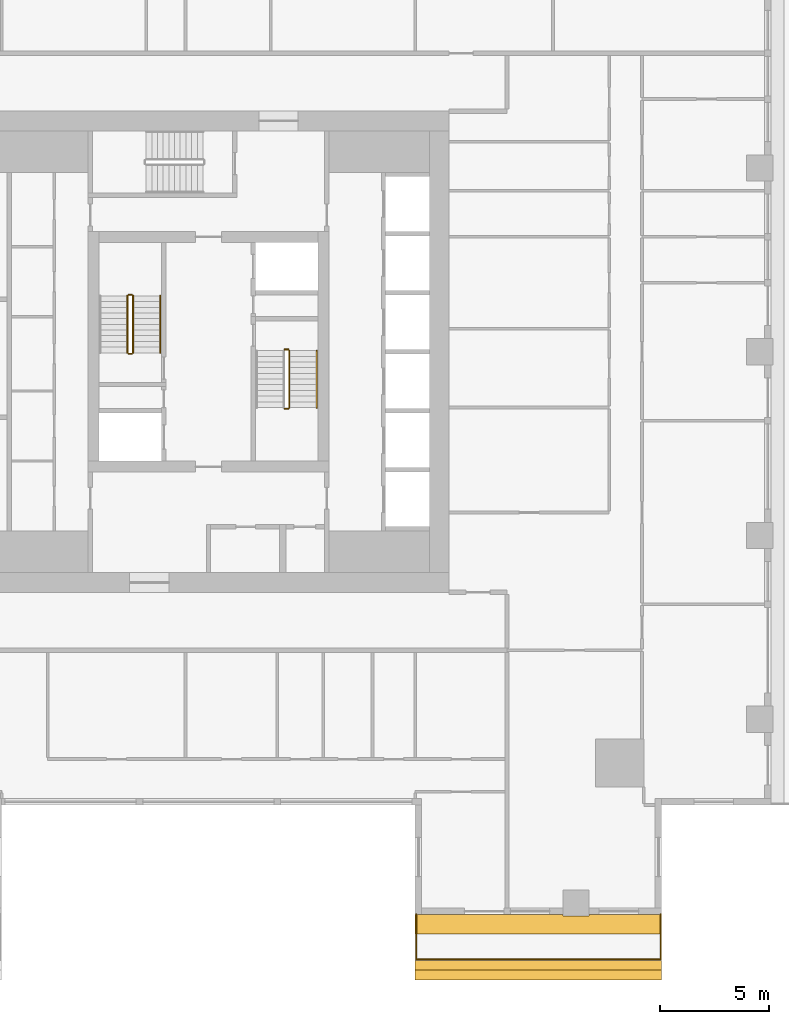
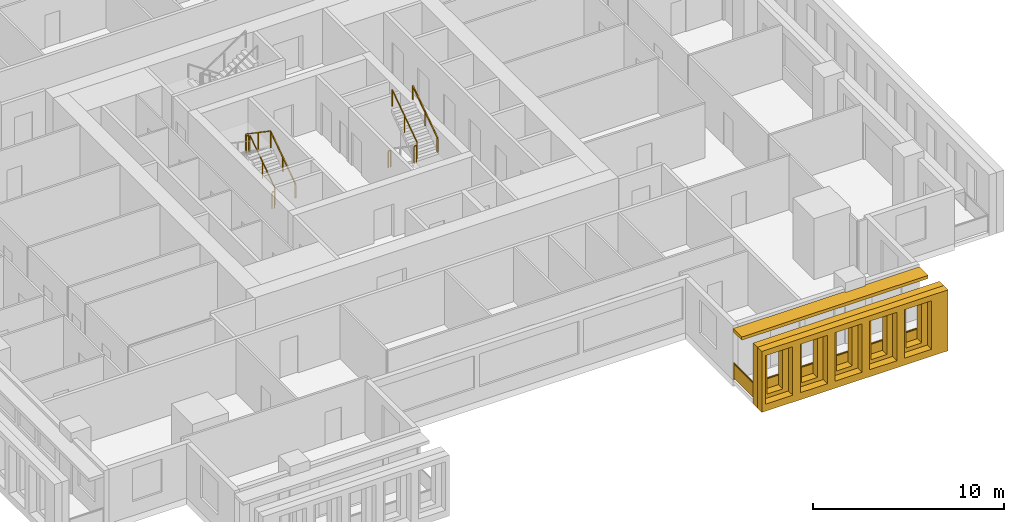
# One storey, part 11 of 14: 10 railings, 3 shading devices.
"""IFC4 building model written with IfcOpenShell, lengths in metres."""

from ifc_helpers import new_model, si_unit, direction, frame, origin, origin_2d, place, context, subcontext, project, spatial, polyline, rectangle, outline, extrude, material, layer, layer_set, type_object, element, save


model = new_model("IFC4")

# Units and contexts
model_context = context("Model", 3, precision=1e-05, world=origin(), true_north=direction((0.0, 1.0)))
body_context = subcontext(model_context, "Body", "Model", "MODEL_VIEW")
ifc_project = project(units=[si_unit("LENGTHUNIT", "METRE"), si_unit("AREAUNIT", "SQUARE_METRE"), si_unit("VOLUMEUNIT", "CUBIC_METRE"), si_unit("PLANEANGLEUNIT", "RADIAN"), si_unit("MASSUNIT", "GRAM", prefix="KILO")], contexts=[model_context])

# Site, building, storey
site_placement = place(None, origin())
site = spatial("IfcSite", under=ifc_project, at=site_placement, CompositionType="ELEMENT")
building_placement = place(site_placement, origin())
building = spatial("IfcBuilding", under=site, at=building_placement, Name="Khepri Terraces", CompositionType="ELEMENT")
storey_placement = place(building_placement, frame((0.0, 0.0, 267.89990234375)))
storey = spatial("IfcBuildingStorey", under=building, at=storey_placement, Name="L64", CompositionType="ELEMENT", Elevation=267.89990234375)

# Railings
ifc_material_1 = material(Name="Stainless steel grade 316", Category="steel")
railing_type_1 = type_object("IfcRailingType", Name="GRD-BAL-1100", PredefinedType="GUARDRAIL", material=ifc_material_1)
railing_1_placement = place(storey_placement, frame((9.5, -25.719970703125, 0.0)))
element("IfcRailing", 1, at=railing_1_placement, inside=storey, type_object=railing_type_1, Name="Balcony guard L64 S", PredefinedType="GUARDRAIL", context=body_context, shape_type="SweptSolid", body=[
    extrude(rectangle(XDim=0.050048828125, YDim=0.06005859375, at=origin_2d()), frame((0.0, 0.0, 1.070068359375), z_axis=(0.0, -1.0, 0.0), x_axis=(1.0, 0.0, 0.0)), (0.0, 0.0, 1.0), 2.050048828125),
    extrude(rectangle(XDim=2.0, YDim=0.011962890625, at=origin_2d()), frame((0.0, -1.02490234375, 0.10009765625), z_axis=(0.0, 0.0, 1.0), x_axis=(0.0, -1.0, 0.0)), (0.0, 0.0, 1.0), 0.93994140625),
    extrude(rectangle(XDim=0.050048828125, YDim=0.06005859375, at=origin_2d()), frame((0.0, -2.050048828125, 1.070068359375), z_axis=(1.0, 0.0, 0.0), x_axis=(0.0, 1.0, 0.0)), (0.0, 0.0, 1.0), 11.169921875),
    extrude(rectangle(XDim=2.183837890625, YDim=0.011962890625, at=origin_2d()), frame((1.116943359375, -2.050048828125, 0.10009765625), z_axis=(0.0, 0.0, 1.0), x_axis=(1.0, 0.0, 0.0)), (0.0, 0.0, 1.0), 0.93994140625),
    extrude(rectangle(XDim=2.183837890625, YDim=0.011962890625, at=origin_2d()), frame((3.35107421875, -2.050048828125, 0.10009765625), z_axis=(0.0, 0.0, 1.0), x_axis=(1.0, 0.0, 0.0)), (0.0, 0.0, 1.0), 0.93994140625),
    extrude(rectangle(XDim=2.183837890625, YDim=0.011962890625, at=origin_2d()), frame((5.5849609375, -2.050048828125, 0.10009765625), z_axis=(0.0, 0.0, 1.0), x_axis=(1.0, 0.0, 0.0)), (0.0, 0.0, 1.0), 0.93994140625),
    extrude(rectangle(XDim=2.183837890625, YDim=0.011962890625, at=origin_2d()), frame((7.81884765625, -2.050048828125, 0.10009765625), z_axis=(0.0, 0.0, 1.0), x_axis=(1.0, 0.0, 0.0)), (0.0, 0.0, 1.0), 0.93994140625),
    extrude(rectangle(XDim=2.183837890625, YDim=0.011962890625, at=origin_2d()), frame((10.052978515625, -2.050048828125, 0.10009765625), z_axis=(0.0, 0.0, 1.0), x_axis=(1.0, 0.0, 0.0)), (0.0, 0.0, 1.0), 0.93994140625),
    extrude(rectangle(XDim=0.050048828125, YDim=0.06005859375, at=origin_2d()), frame((11.169921875, -2.050048828125, 1.070068359375), z_axis=(0.0, 1.0, 0.0), x_axis=(-1.0, 0.0, 0.0)), (0.0, 0.0, 1.0), 2.050048828125),
    extrude(rectangle(XDim=2.0, YDim=0.011962890625, at=origin_2d()), frame((11.169921875, -1.02490234375, 0.10009765625), z_axis=(0.0, 0.0, 1.0), x_axis=(0.0, 1.0, 0.0)), (0.0, 0.0, 1.0), 0.93994140625),
    extrude(rectangle(XDim=0.050048828125, YDim=0.050048828125, at=origin_2d()), origin(), (0.0, 0.0, 1.0), 1.0400390625),
    extrude(rectangle(XDim=0.050048828125, YDim=0.050048828125, at=origin_2d()), frame((0.0, -2.050048828125, 0.0)), (0.0, 0.0, 1.0), 1.0400390625),
    extrude(rectangle(XDim=0.050048828125, YDim=0.050048828125, at=origin_2d()), frame((2.23388671875, -2.050048828125, 0.0)), (0.0, 0.0, 1.0), 1.0400390625),
    extrude(rectangle(XDim=0.050048828125, YDim=0.050048828125, at=origin_2d()), frame((4.468017578125, -2.050048828125, 0.0)), (0.0, 0.0, 1.0), 1.0400390625),
    extrude(rectangle(XDim=0.050048828125, YDim=0.050048828125, at=origin_2d()), frame((6.701904296875, -2.050048828125, 0.0)), (0.0, 0.0, 1.0), 1.0400390625),
    extrude(rectangle(XDim=0.050048828125, YDim=0.050048828125, at=origin_2d()), frame((8.93603515625, -2.050048828125, 0.0)), (0.0, 0.0, 1.0), 1.0400390625),
    extrude(rectangle(XDim=0.050048828125, YDim=0.050048828125, at=origin_2d()), frame((11.169921875, -2.050048828125, 0.0)), (0.0, 0.0, 1.0), 1.0400390625),
    extrude(rectangle(XDim=0.050048828125, YDim=0.050048828125, at=origin_2d()), frame((11.169921875, 0.0, 0.0)), (0.0, 0.0, 1.0), 1.0400390625),
])
ifc_material_2 = material(Name="Stainless steel 316", Category="steel")
railing_type_2 = type_object("IfcRailingType", Name="RL-CORE-GUARD", PredefinedType="GUARDRAIL", material=ifc_material_2)
railing_2_placement = place(storey_placement, frame((-3.449951171875, -0.050048828125, 0.177490234375)))
element("IfcRailing", 2, at=railing_2_placement, inside=storey, type_object=railing_type_2, Name="L64 ST-1 stair guard 1", PredefinedType="GUARDRAIL", context=body_context, shape_type="SweptSolid", body=[
    extrude(rectangle(XDim=0.050048828125, YDim=0.06005859375, at=origin_2d()), frame((0.0, 0.0, 1.070068359375), z_axis=(0.0, 0.826240473404, 0.563317565952), x_axis=(-1.0, 0.0, 0.0)), (0.0, 0.0, 1.0), 3.14697265625),
    extrude(rectangle(XDim=0.050048828125, YDim=0.050048828125, at=origin_2d()), origin(), (0.0, 0.0, 1.0), 1.0400390625),
    extrude(rectangle(XDim=0.050048828125, YDim=0.050048828125, at=origin_2d()), frame((0.0, 1.300048828125, 0.88623046875)), (0.0, 0.0, 1.0), 1.0400390625),
    extrude(rectangle(XDim=0.050048828125, YDim=0.050048828125, at=origin_2d()), frame((0.0, 2.60009765625, 1.772705078125)), (0.0, 0.0, 1.0), 1.0400390625),
])
railing_3_placement = place(storey_placement, frame((-3.5, 2.60009765625, 1.9501953125)))
element("IfcRailing", 3, at=railing_3_placement, inside=storey, type_object=railing_type_2, Name="L64 ST-1 stair guard 2", PredefinedType="GUARDRAIL", context=body_context, shape_type="SweptSolid", body=[
    extrude(rectangle(XDim=0.050048828125, YDim=0.06005859375, at=origin_2d()), frame((0.0, 0.0, 1.070068359375), z_axis=(-1.0, 0.0, 0.0), x_axis=(0.0, -1.0, 0.0)), (0.0, 0.0, 1.0), 0.14990234375),
    extrude(rectangle(XDim=0.050048828125, YDim=0.050048828125, at=origin_2d()), origin(), (0.0, 0.0, 1.0), 1.0400390625),
    extrude(rectangle(XDim=0.050048828125, YDim=0.050048828125, at=origin_2d()), frame((-0.14990234375, 0.0, 0.0)), (0.0, 0.0, 1.0), 1.0400390625),
])
railing_4_placement = place(storey_placement, frame((-3.699951171875, 2.550048828125, 2.12744140625)))
element("IfcRailing", 4, at=railing_4_placement, inside=storey, type_object=railing_type_2, Name="L64 ST-1 stair guard 3", PredefinedType="GUARDRAIL", context=body_context, shape_type="SweptSolid", body=[
    extrude(rectangle(XDim=0.050048828125, YDim=0.06005859375, at=origin_2d()), frame((0.0, 0.0, 1.070068359375), z_axis=(0.0, -0.826240473404, 0.563317565952), x_axis=(1.0, 0.0, 0.0)), (0.0, 0.0, 1.0), 3.14697265625),
    extrude(rectangle(XDim=0.050048828125, YDim=0.050048828125, at=origin_2d()), origin(), (0.0, 0.0, 1.0), 1.0400390625),
    extrude(rectangle(XDim=0.050048828125, YDim=0.050048828125, at=origin_2d()), frame((0.0, -1.300048828125, 0.88623046875)), (0.0, 0.0, 1.0), 1.0400390625),
    extrude(rectangle(XDim=0.050048828125, YDim=0.050048828125, at=origin_2d()), frame((0.0, -2.60009765625, 1.772705078125)), (0.0, 0.0, 1.0), 1.0400390625),
])
railing_5_placement = place(storey_placement, frame((-3.5, -0.10009765625, 0.0)))
element("IfcRailing", 5, at=railing_5_placement, inside=storey, type_object=railing_type_2, Name="L64 ST-1 stair guard 4", PredefinedType="GUARDRAIL", context=body_context, shape_type="SweptSolid", body=[
    extrude(rectangle(XDim=0.050048828125, YDim=0.06005859375, at=origin_2d()), frame((0.0, 0.0, 1.070068359375), z_axis=(-1.0, 0.0, 0.0), x_axis=(0.0, -1.0, 0.0)), (0.0, 0.0, 1.0), 0.14990234375),
    extrude(rectangle(XDim=0.050048828125, YDim=0.050048828125, at=origin_2d()), origin(), (0.0, 0.0, 1.0), 1.0400390625),
    extrude(rectangle(XDim=0.050048828125, YDim=0.050048828125, at=origin_2d()), frame((-0.14990234375, 0.0, 0.0)), (0.0, 0.0, 1.0), 1.0400390625),
])
railing_6_placement = place(storey_placement, frame((3.5, -2.60009765625, 1.9501953125)))
element("IfcRailing", 6, at=railing_6_placement, inside=storey, type_object=railing_type_2, Name="L64 ST-2 stair guard 2", PredefinedType="GUARDRAIL", context=body_context, shape_type="SweptSolid", body=[
    extrude(rectangle(XDim=0.050048828125, YDim=0.06005859375, at=origin_2d()), frame((0.0, 0.0, 1.070068359375), z_axis=(1.0, 0.0, 0.0), x_axis=(0.0, 1.0, 0.0)), (0.0, 0.0, 1.0), 0.14990234375),
    extrude(rectangle(XDim=0.050048828125, YDim=0.050048828125, at=origin_2d()), origin(), (0.0, 0.0, 1.0), 1.0400390625),
    extrude(rectangle(XDim=0.050048828125, YDim=0.050048828125, at=origin_2d()), frame((0.14990234375, 0.0, 0.0)), (0.0, 0.0, 1.0), 1.0400390625),
])
railing_7_placement = place(storey_placement, frame((3.699951171875, -2.550048828125, 2.12744140625)))
element("IfcRailing", 7, at=railing_7_placement, inside=storey, type_object=railing_type_2, Name="L64 ST-2 stair guard 3", PredefinedType="GUARDRAIL", context=body_context, shape_type="SweptSolid", body=[
    extrude(rectangle(XDim=0.050048828125, YDim=0.06005859375, at=origin_2d()), frame((0.0, 0.0, 1.070068359375), z_axis=(0.0, 0.826240473404, 0.563317565952), x_axis=(-1.0, 0.0, 0.0)), (0.0, 0.0, 1.0), 3.14697265625),
    extrude(rectangle(XDim=0.050048828125, YDim=0.050048828125, at=origin_2d()), origin(), (0.0, 0.0, 1.0), 1.0400390625),
    extrude(rectangle(XDim=0.050048828125, YDim=0.050048828125, at=origin_2d()), frame((0.0, 1.300048828125, 0.88623046875)), (0.0, 0.0, 1.0), 1.0400390625),
    extrude(rectangle(XDim=0.050048828125, YDim=0.050048828125, at=origin_2d()), frame((0.0, 2.60009765625, 1.772705078125)), (0.0, 0.0, 1.0), 1.0400390625),
])
railing_8_placement = place(storey_placement, frame((3.5, 0.10009765625, 0.0)))
element("IfcRailing", 8, at=railing_8_placement, inside=storey, type_object=railing_type_2, Name="L64 ST-2 stair guard 4", PredefinedType="GUARDRAIL", context=body_context, shape_type="SweptSolid", body=[
    extrude(rectangle(XDim=0.050048828125, YDim=0.06005859375, at=origin_2d()), frame((0.0, 0.0, 1.070068359375), z_axis=(1.0, 0.0, 0.0), x_axis=(0.0, 1.0, 0.0)), (0.0, 0.0, 1.0), 0.14990234375),
    extrude(rectangle(XDim=0.050048828125, YDim=0.050048828125, at=origin_2d()), origin(), (0.0, 0.0, 1.0), 1.0400390625),
    extrude(rectangle(XDim=0.050048828125, YDim=0.050048828125, at=origin_2d()), frame((0.14990234375, 0.0, 0.0)), (0.0, 0.0, 1.0), 1.0400390625),
])
railing_type_3 = type_object("IfcRailingType", Name="RL-CORE-HANDRAIL", PredefinedType="HANDRAIL", material=ifc_material_2)
for number, where, name in (
    (9, (-2.199951171875, -0.050048828125, 0.177490234375), "L64 ST-1 stair handrail 1"),
    (10, (4.949951171875, -2.550048828125, 2.12744140625), "L64 ST-2 stair handrail 2"),
):
    element("IfcRailing", number, at=place(storey_placement, frame(where)), inside=storey, type_object=railing_type_3, Name=name, PredefinedType="HANDRAIL", context=body_context, shape_type="SweptSolid", body=[
        extrude(rectangle(XDim=0.050048828125, YDim=0.050048828125, at=origin_2d()), frame((0.0, 0.0, 0.875), z_axis=(0.0, 0.826240473404, 0.563317565952), x_axis=(-1.0, 0.0, 0.0)), (0.0, 0.0, 1.0), 3.14697265625),
        extrude(rectangle(XDim=0.050048828125, YDim=0.050048828125, at=origin_2d()), origin(), (0.0, 0.0, 1.0), 0.849853515625),
        extrude(rectangle(XDim=0.050048828125, YDim=0.050048828125, at=origin_2d()), frame((0.0, 1.300048828125, 0.88623046875)), (0.0, 0.0, 1.0), 0.849853515625),
        extrude(rectangle(XDim=0.050048828125, YDim=0.050048828125, at=origin_2d()), frame((0.0, 2.60009765625, 1.772705078125)), (0.0, 0.0, 1.0), 0.849853515625),
    ])

# Shading devices
ifc_material_3 = material(Name="Precast concrete C50/60 warm stone", Category="masonry")
shading_device_type_1 = type_object("IfcShadingDeviceType", Name="SCR-CELL-INNER-450", PredefinedType="USERDEFINED", material=ifc_material_3)
shading_device_1_placement = place(storey_placement, frame((9.449951171875, -27.820068359375, -0.25), z_axis=(0.0, -1.0, 0.0), x_axis=(1.0, 0.0, 0.0)))
element("IfcShadingDevice", 11, at=shading_device_1_placement, inside=storey, type_object=shading_device_type_1, Name="Cell screen L64 S in", ObjectType="SCREEN", PredefinedType="USERDEFINED", context=body_context, shape_type="SweptSolid", body=[
    extrude(outline(polyline([(0.0, 0.0), (11.27001953125, 0.0), (11.27001953125, 3.89990234375), (0.0, 3.89990234375), (0.0, 0.0)]), holes=[polyline([(0.577392578125, 0.699951171875), (1.5224609375, 0.699951171875), (1.5224609375, 3.300048828125), (0.577392578125, 3.300048828125), (0.577392578125, 0.699951171875)]), polyline([(2.677490234375, 0.699951171875), (3.62255859375, 0.699951171875), (3.62255859375, 3.300048828125), (2.677490234375, 3.300048828125), (2.677490234375, 0.699951171875)]), polyline([(4.777587890625, 0.699951171875), (5.722412109375, 0.699951171875), (5.722412109375, 3.300048828125), (4.777587890625, 3.300048828125), (4.777587890625, 0.699951171875)]), polyline([(6.87744140625, 0.699951171875), (7.822509765625, 0.699951171875), (7.822509765625, 3.300048828125), (6.87744140625, 3.300048828125), (6.87744140625, 0.699951171875)]), polyline([(8.9775390625, 0.699951171875), (9.922607421875, 0.699951171875), (9.922607421875, 3.300048828125), (8.9775390625, 3.300048828125), (8.9775390625, 0.699951171875)])]), origin(), (0.0, 0.0, 1.0), 0.449951171875),
])
shading_device_type_2 = type_object("IfcShadingDeviceType", Name="SCR-CELL-OUTER-450", PredefinedType="USERDEFINED", material=ifc_material_3)
shading_device_2_placement = place(storey_placement, frame((9.449951171875, -28.27001953125, -0.25), z_axis=(0.0, -1.0, 0.0), x_axis=(1.0, 0.0, 0.0)))
element("IfcShadingDevice", 12, at=shading_device_2_placement, inside=storey, type_object=shading_device_type_2, Name="Cell screen L64 S out", ObjectType="SCREEN", PredefinedType="USERDEFINED", context=body_context, shape_type="SweptSolid", body=[
    extrude(outline(polyline([(0.0, 0.0), (11.27001953125, 0.0), (11.27001953125, 3.89990234375), (0.0, 3.89990234375), (0.0, 0.0)]), holes=[polyline([(0.2275390625, 0.449951171875), (1.87255859375, 0.449951171875), (1.87255859375, 3.550048828125), (0.2275390625, 3.550048828125), (0.2275390625, 0.449951171875)]), polyline([(2.327392578125, 0.449951171875), (3.972412109375, 0.449951171875), (3.972412109375, 3.550048828125), (2.327392578125, 3.550048828125), (2.327392578125, 0.449951171875)]), polyline([(4.427490234375, 0.449951171875), (6.072509765625, 0.449951171875), (6.072509765625, 3.550048828125), (4.427490234375, 3.550048828125), (4.427490234375, 0.449951171875)]), polyline([(6.527587890625, 0.449951171875), (8.172607421875, 0.449951171875), (8.172607421875, 3.550048828125), (6.527587890625, 3.550048828125), (6.527587890625, 0.449951171875)]), polyline([(8.62744140625, 0.449951171875), (10.2724609375, 0.449951171875), (10.2724609375, 3.550048828125), (8.62744140625, 3.550048828125), (8.62744140625, 0.449951171875)])]), origin(), (0.0, 0.0, 1.0), 0.449951171875),
])
ifc_layer = layer(ifc_material_3, 0.199951171875, Name="Precast concrete C50/60 warm stone", Category="masonry")
ifc_layer_set = layer_set([ifc_layer], Name="Precast concrete C50/60 warm stone")
shading_device_type_3 = type_object("IfcShadingDeviceType", Name="SSH-BAND-STONE-200", PredefinedType="USERDEFINED", material=ifc_layer_set)
shading_device_3_placement = place(storey_placement, frame((0.0, 0.0, 3.10009765625)))
element("IfcShadingDevice", 13, at=shading_device_3_placement, inside=storey, type_object=shading_device_type_3, Name="Sunshade band L64 S", ObjectType="SUNSHADE", PredefinedType="USERDEFINED", context=body_context, shape_type="SweptSolid", body=[
    extrude(outline(polyline([(16.199951171875, -25.719970703125), (9.449951171875, -25.719970703125), (9.449951171875, -26.6201171875), (20.719970703125, -26.6201171875), (20.719970703125, -25.719970703125), (17.39990234375, -25.719970703125), (17.39990234375, -25.800048828125), (16.199951171875, -25.800048828125), (16.199951171875, -25.719970703125)])), origin(), (0.0, 0.0, 1.0), 0.199951171875),
])

save(model, "model.ifc")
